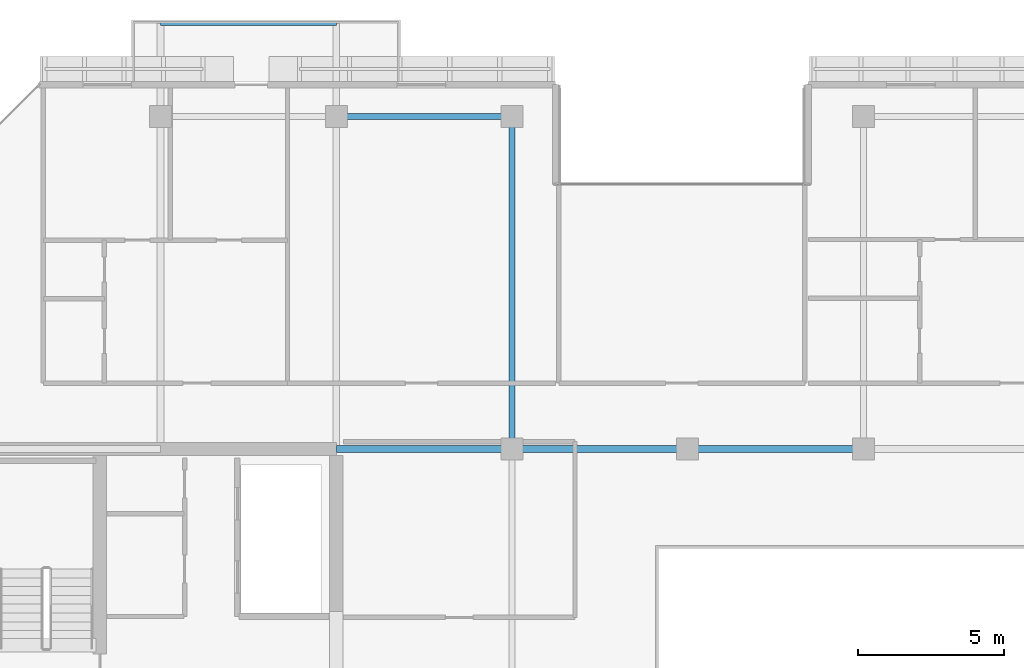
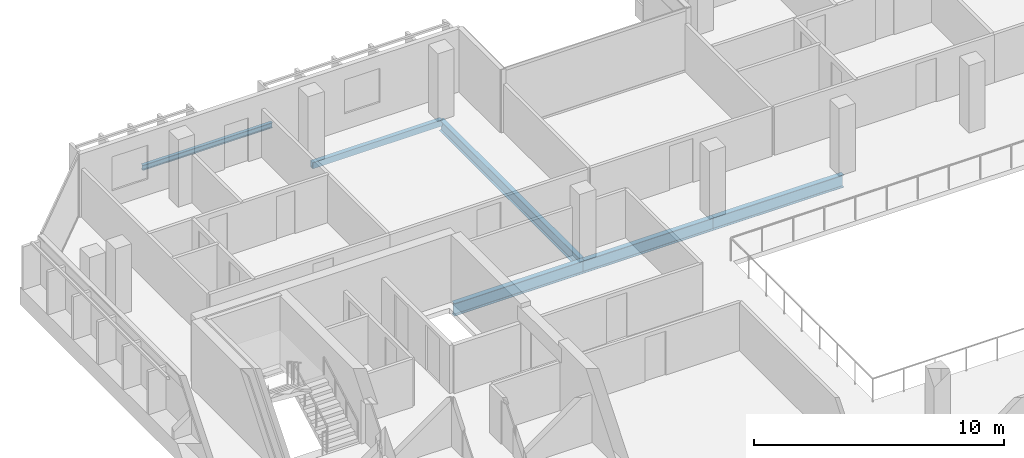
# One storey, part 7 of 25: 6 beams.
"""IFC4 building model written with IfcOpenShell, lengths in metres."""

from ifc_helpers import new_model, si_unit, direction, frame, origin, origin_2d, place, context, subcontext, project, spatial, hollow_rectangle, i_section, extrude, material, material_profile, profile_set, type_object, element, save


model = new_model("IFC4")

# Units and contexts
model_context = context("Model", 3, precision=1e-05, world=origin(), true_north=direction((0.0, 1.0)))
body_context = subcontext(model_context, "Body", "Model", "MODEL_VIEW")
ifc_project = project(units=[si_unit("LENGTHUNIT", "METRE"), si_unit("AREAUNIT", "SQUARE_METRE"), si_unit("VOLUMEUNIT", "CUBIC_METRE"), si_unit("PLANEANGLEUNIT", "RADIAN"), si_unit("MASSUNIT", "GRAM", prefix="KILO")], contexts=[model_context])

# Site, building, storey
site_placement = place(None, origin())
site = spatial("IfcSite", under=ifc_project, at=site_placement, CompositionType="ELEMENT")
building_placement = place(site_placement, origin())
building = spatial("IfcBuilding", under=site, at=building_placement, Name="Tanjung Sevakor Pilgrim Tower", CompositionType="ELEMENT")
storey_placement = place(building_placement, frame((0.0, 0.0, 204.929931640625)))
storey = spatial("IfcBuildingStorey", under=building, at=storey_placement, Name="L57", CompositionType="ELEMENT", Elevation=204.929931640625)

# Beams
ifc_material_1 = material(Name="Steel S355J2", Category="steel")
ifc_material_profile_1 = material_profile(ifc_material_1, i_section(OverallWidth=0.22900390625, OverallDepth=0.6123046875, WebThickness=0.011962890625, FlangeThickness=0.01953125, FilletRadius=0.0126953125, at=origin_2d()))
ifc_profile_set_1 = profile_set([ifc_material_profile_1], Name="Steel S355J2")
beam_type_1 = type_object("IfcBeamType", Name="BM-B-G4-UB_610x229x125", PredefinedType="BEAM", material=ifc_profile_set_1)
for number, where, z_axis, x_axis, name in (
    (1, (36.0, 42.60009765625, -0.526123046875), (1.0, 0.0, 0.0), (0.0, 1.0, 0.0), "L57 Primary Floor Girder MAIN Y426-02"),
    (2, (42.0, 42.60009765625, -0.526123046875), (1.0, 0.0, 0.0), (0.0, 1.0, 0.0), "L57 Primary Floor Girder MAIN Y426-03"),
    (3, (48.0, 42.60009765625, -0.526123046875), (1.0, 0.0, 0.0), (0.0, 1.0, 0.0), "L57 Primary Floor Girder MAIN Y426-04"),
):
    element("IfcBeam", number, at=place(storey_placement, frame(where, z_axis=z_axis, x_axis=x_axis)), inside=storey, type_object=beam_type_1, Name=name, PredefinedType="BEAM", context=body_context, shape_type="SweptSolid", body=[
        extrude(i_section(OverallWidth=0.22900390625, OverallDepth=0.6123046875, WebThickness=0.011962890625, FlangeThickness=0.01953125, FilletRadius=0.0126953125, at=origin_2d()), origin(), (0.0, 0.0, 1.0), 6.0),
    ])
ifc_material_2 = material(Name="Steel S355J2", Category="steel")
ifc_material_profile_2 = material_profile(ifc_material_2, i_section(OverallWidth=0.2119140625, OverallDepth=0.54443359375, WebThickness=0.0126953125, FlangeThickness=0.021240234375, FilletRadius=0.0126953125, at=origin_2d()))
ifc_profile_set_2 = profile_set([ifc_material_profile_2], Name="Steel S355J2")
beam_type_2 = type_object("IfcBeamType", Name="BM-B-G5-UB_533x210x122", PredefinedType="BEAM", material=ifc_profile_set_2)
beam_1_placement = place(storey_placement, frame((42.0, 42.60009765625, -0.4921875), z_axis=(0.0, 1.0, 0.0), x_axis=(-1.0, 0.0, 0.0)))
element("IfcBeam", 4, at=beam_1_placement, inside=storey, type_object=beam_type_2, Name="L57 MAIN Girder 003", PredefinedType="BEAM", context=body_context, shape_type="SweptSolid", body=[
    extrude(i_section(OverallWidth=0.2119140625, OverallDepth=0.54443359375, WebThickness=0.0126953125, FlangeThickness=0.021240234375, FilletRadius=0.0126953125, at=origin_2d()), origin(), (0.0, 0.0, 1.0), 11.349853515625),
])
ifc_material_3 = material(Name="Steel S355J2", Category="steel")
ifc_material_profile_3 = material_profile(ifc_material_3, i_section(OverallWidth=0.146484375, OverallDepth=0.256103515625, WebThickness=0.00634765625, FlangeThickness=0.010986328125, FilletRadius=0.007568359375, at=origin_2d()))
ifc_profile_set_3 = profile_set([ifc_material_profile_3], Name="Steel S355J2")
beam_type_3 = type_object("IfcBeamType", Name="BM-B-J6-UB_254x146x37", PredefinedType="JOIST", material=ifc_profile_set_3)
beam_2_placement = place(storey_placement, frame((30.0, 57.1298828125, -0.327880859375), z_axis=(1.0, 0.0, 0.0), x_axis=(0.0, 1.0, 0.0)))
element("IfcBeam", 5, at=beam_2_placement, inside=storey, type_object=beam_type_3, Name="L57 Balcony Rim Tie MAIN-N1", PredefinedType="JOIST", context=body_context, shape_type="SweptSolid", body=[
    extrude(i_section(OverallWidth=0.146484375, OverallDepth=0.256103515625, WebThickness=0.00634765625, FlangeThickness=0.010986328125, FilletRadius=0.007568359375, at=origin_2d()), origin(), (0.0, 0.0, 1.0), 6.0),
])
ifc_material_4 = material(Name="Steel S355J2", Category="steel")
ifc_material_profile_4 = material_profile(ifc_material_4, hollow_rectangle(XDim=0.199951171875, YDim=0.300048828125, WallThickness=0.012451171875, at=origin_2d()))
ifc_profile_set_4 = profile_set([ifc_material_profile_4], Name="Steel S355J2")
beam_type_4 = type_object("IfcBeamType", Name="BM-B-SP3-RHS_300x200x12.5", PredefinedType="SPANDREL", material=ifc_profile_set_4)
beam_3_placement = place(storey_placement, frame((36.0, 53.949951171875, -0.369873046875), z_axis=(1.0, 0.0, 0.0), x_axis=(0.0, 1.0, 0.0)))
element("IfcBeam", 6, at=beam_3_placement, inside=storey, type_object=beam_type_4, Name="L57 Spandrel MAIN N-04", PredefinedType="SPANDREL", context=body_context, shape_type="SweptSolid", body=[
    extrude(hollow_rectangle(XDim=0.199951171875, YDim=0.300048828125, WallThickness=0.012451171875, at=origin_2d()), origin(), (0.0, 0.0, 1.0), 6.0),
])

save(model, "model.ifc")
